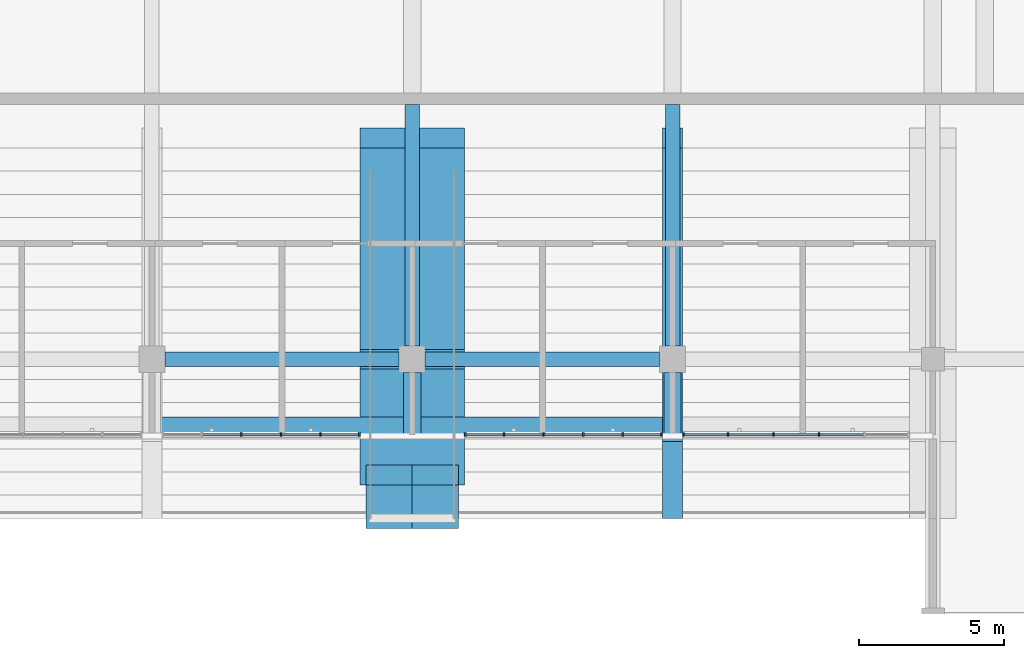
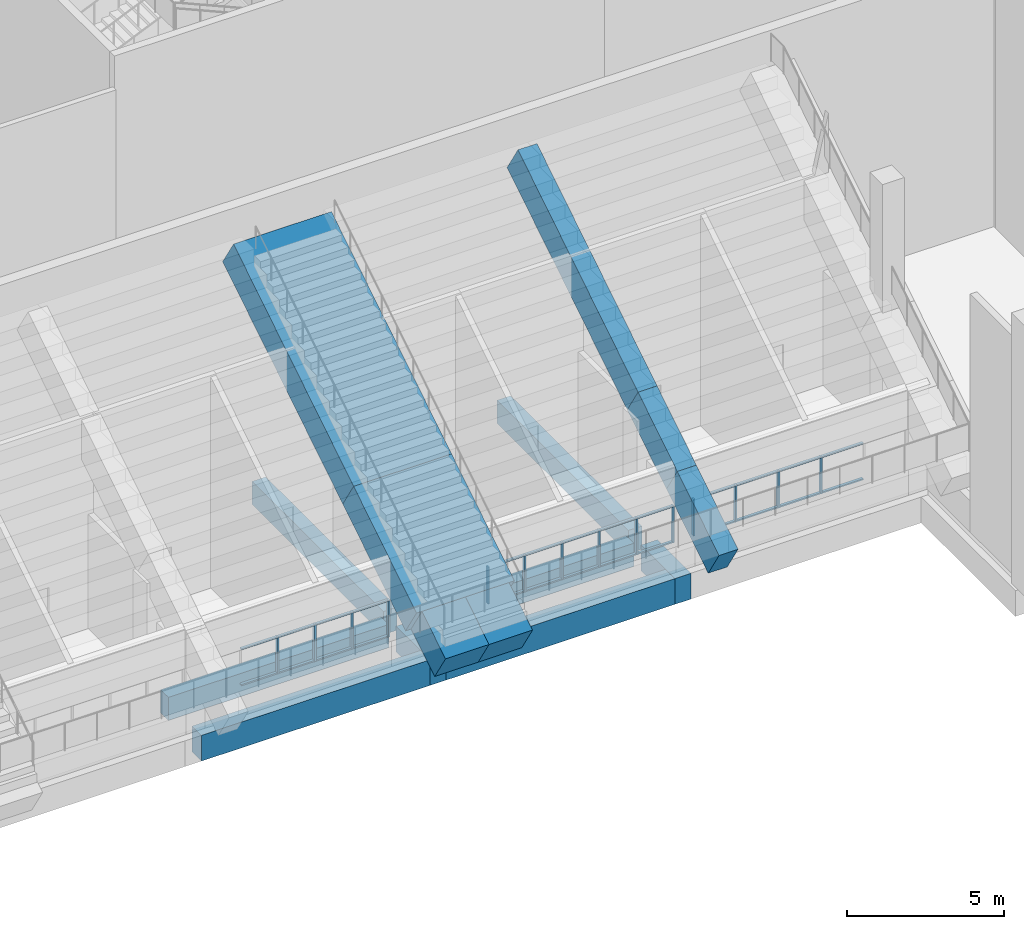
# One storey, part 50 of 182: 40 members, 15 beams, 3 elements without a shape of their own.
"""IFC4 building model written with IfcOpenShell, lengths in metres."""

import ifcopenshell
import ifcopenshell.guid

model = None  # the IFC model being written
_history = None  # IfcOwnerHistory: only IFC2X3 demands one
_inside = {}  # id of a spatial element -> (the spatial element, [elements in it])
_under = {}  # id of a project, library or spatial element -> (it, [spatial elements below it])
_declared = {}  # id of a project -> (the project, [libraries it declares])
_typed = {}  # id of a type object -> (the type object, [elements of that type])
_made_of = {}  # id of a material, layer set ... -> (it, [elements and type objects made of it])


def new_model(schema):
    """Start an empty IFC model of exactly this schema.

    Asked for "IFC4X3", IfcOpenShell would pick the latest addendum, in which some entities
    have other attributes; the version numbers below select the first issue.
    IFC2X3 requires an IfcOwnerHistory on every rooted entity: one is made here for all.
    """
    global model, _history
    if schema == "IFC4X3":
        model = ifcopenshell.file(schema_version=(4, 3, 0, 0))
    else:
        model = ifcopenshell.file(schema=schema)
    _inside.clear()
    _under.clear()
    _declared.clear()
    _typed.clear()
    _made_of.clear()
    _history = None
    if model.schema == "IFC2X3":
        org = make("IfcOrganization", Name="unknown")
        user = make(
            "IfcPersonAndOrganization",
            ThePerson=make("IfcPerson", FamilyName="unknown"),
            TheOrganization=org,
        )
        app = make(
            "IfcApplication",
            ApplicationDeveloper=org,
            Version="unknown",
            ApplicationFullName="unknown",
            ApplicationIdentifier="unknown",
        )
        _history = make(
            "IfcOwnerHistory",
            OwningUser=user,
            OwningApplication=app,
            ChangeAction="ADDED",
            CreationDate=0,
        )
    return model


def make(cls, **values):
    """One entity of the class cls with the attributes given. An attribute that is None is left unset."""
    return model.create_entity(
        cls, **{name: value for name, value in values.items() if value is not None}
    )


def rooted(cls, **values):
    """An entity with a GlobalId (a new one), such as an element, a storey or a relation."""
    return make(cls, GlobalId=ifcopenshell.guid.new(), OwnerHistory=_history, **values)


def si_unit(unit_type, name, prefix=None):
    """IfcSIUnit, for example si_unit("LENGTHUNIT", "METRE", prefix="MILLI")."""
    return make("IfcSIUnit", UnitType=unit_type, Prefix=prefix, Name=name)


def assignment(units):
    """IfcUnitAssignment: the units of a project."""
    return None if units is None else make("IfcUnitAssignment", Units=units)


def point(xyz):
    """IfcCartesianPoint."""
    return None if xyz is None else make("IfcCartesianPoint", Coordinates=xyz)


def direction(xyz):
    """IfcDirection."""
    return None if xyz is None else make("IfcDirection", DirectionRatios=xyz)


def frame(location, z_axis=None, x_axis=None):
    """IfcAxis2Placement3D, a coordinate frame: its origin and axes. An axis left out is left unset."""
    return make(
        "IfcAxis2Placement3D",
        Location=point(location),
        Axis=direction(z_axis),
        RefDirection=direction(x_axis),
    )


def frame_2d(location, x_axis=None):
    """IfcAxis2Placement2D, a coordinate frame in the plane: its origin and x axis."""
    return make(
        "IfcAxis2Placement2D", Location=point(location), RefDirection=direction(x_axis)
    )


def origin():
    """The frame at (0, 0, 0) with its axes left unset."""
    return frame((0.0, 0.0, 0.0))


def origin_2d():
    """The frame at (0, 0) in the plane with its x axis left unset."""
    return frame_2d((0.0, 0.0))


def place(relative_to, where):
    """IfcLocalPlacement: puts the frame where relative to a parent placement (None: the world)."""
    return make(
        "IfcLocalPlacement", PlacementRelTo=relative_to, RelativePlacement=where
    )


def context(
    kind, dimensions, precision=None, world=None, true_north=None, identifier=None
):
    """IfcGeometricRepresentationContext, for example the 3D "Model" context."""
    return make(
        "IfcGeometricRepresentationContext",
        ContextIdentifier=identifier,
        ContextType=kind,
        CoordinateSpaceDimension=dimensions,
        Precision=precision,
        WorldCoordinateSystem=world,
        TrueNorth=true_north,
    )


def subcontext(parent, identifier, kind, view, scale=None):
    """IfcGeometricRepresentationSubContext, for example "Body" below "Model"."""
    return make(
        "IfcGeometricRepresentationSubContext",
        ContextIdentifier=identifier,
        ContextType=kind,
        ParentContext=parent,
        TargetScale=scale,
        TargetView=view,
    )


def project(units=None, contexts=None):
    """IfcProject with its units and contexts."""
    return rooted(
        "IfcProject",
        Name="project",
        RepresentationContexts=contexts,
        UnitsInContext=assignment(units),
    )


def spatial(cls, under=None, at=None, **own):
    """A site, building, storey or space (cls), placed at a placement, below another one or the project."""
    s = rooted(cls, ObjectPlacement=at, **own)
    if under is not None:
        _under.setdefault(under.id(), (under, []))[1].append(s)
    return s


def profile(cls, at=None, kind="AREA", **sizes):
    """A parametric profile (cls). Its sizes go by their IFC names, for example OverallWidth=200.0."""
    return make(cls, ProfileType=kind, Position=at, **sizes)


def rectangle(**sizes):
    """IfcRectangleProfileDef."""
    return profile("IfcRectangleProfileDef", **sizes)


def extrude(swept, where, along, depth):
    """IfcExtrudedAreaSolid: the profile swept, set in the frame where, extruded along a direction by depth."""
    return make(
        "IfcExtrudedAreaSolid",
        SweptArea=swept,
        Position=where,
        ExtrudedDirection=direction(along),
        Depth=depth,
    )


def shape(context_of_items, identifier, shape_type, items):
    """IfcShapeRepresentation: the items that make up one representation, for example the "Body"."""
    return make(
        "IfcShapeRepresentation",
        ContextOfItems=context_of_items,
        RepresentationIdentifier=identifier,
        RepresentationType=shape_type,
        Items=items,
    )


def material(Name=None, Category=None):
    """IfcMaterial."""
    return make("IfcMaterial", Name=Name, Category=Category)


def material_profile(
    of_material, cross_section, Name=None, Category=None, Priority=None
):
    """IfcMaterialProfile: a cross section and its material."""
    return make(
        "IfcMaterialProfile",
        Name=Name,
        Material=of_material,
        Profile=cross_section,
        Priority=Priority,
        Category=Category,
    )


def profile_set(profiles, Name=None, composite=None):
    """IfcMaterialProfileSet."""
    return make(
        "IfcMaterialProfileSet",
        Name=Name,
        MaterialProfiles=profiles,
        CompositeProfile=composite,
    )


def made_of(thing, what):
    """Note that an element or type object is made of a material, layer set ...; save() writes the relation."""
    if what is not None:
        _made_of.setdefault(what.id(), (what, []))[1].append(thing)
    return thing


def type_object(cls, material=None, **own):
    """A type object (cls), such as IfcWallType, which elements share."""
    return made_of(rooted(cls, **own), material)


def element(
    cls,
    number,
    at=None,
    inside=None,
    cuts=None,
    type_object=None,
    material=None,
    context=None,
    identifier="Body",
    shape_type=None,
    held_by="IfcProductDefinitionShape",
    body=None,
    shapes=None,
    **own,
):
    """One element of the class cls, such as IfcWall. Its Tag is "e" and its number.

    at: its placement. inside: the storey or other place that contains it. cuts: it is an
    opening in that element (IfcRelVoidsElement). A single representation is given by context,
    identifier, shape_type and body (its items); several are given by shapes. held_by: the class
    of the entity that holds the representations. save() writes the other relations.
    """
    e = rooted(cls, Tag="e%d" % number, ObjectPlacement=at, **own)
    if body is not None:
        shapes = [shape(context, identifier, shape_type, body)]
    if shapes is not None:
        e.Representation = make(held_by, Representations=shapes)
    if inside is not None:
        _inside.setdefault(inside.id(), (inside, []))[1].append(e)
    if cuts is not None:
        rooted(
            "IfcRelVoidsElement", RelatingBuildingElement=cuts, RelatedOpeningElement=e
        )
    if type_object is not None:
        _typed.setdefault(type_object.id(), (type_object, []))[1].append(e)
    return made_of(e, material)


def aggregate(whole, parts):
    """IfcRelAggregates: a whole, such as a stair, and the parts it consists of."""
    return rooted("IfcRelAggregates", RelatingObject=whole, RelatedObjects=parts)


def save(model, path):
    """Write the relations noted so far, then the file.

    IfcRelAggregates (storeys below a building ...), IfcRelContainedInSpatialStructure (elements
    in a storey), IfcRelDefinesByType, IfcRelAssociatesMaterial and IfcRelDeclares: one each for
    every whole, place, type object, material and project.
    """
    for whole, parts in _under.values():
        aggregate(whole, parts)
    for where, things in _inside.values():
        rooted(
            "IfcRelContainedInSpatialStructure",
            RelatedElements=things,
            RelatingStructure=where,
        )
    for kind, things in _typed.values():
        rooted("IfcRelDefinesByType", RelatedObjects=things, RelatingType=kind)
    for what, things in _made_of.values():
        rooted("IfcRelAssociatesMaterial", RelatedObjects=things, RelatingMaterial=what)
    for by, libraries in _declared.values():
        rooted("IfcRelDeclares", RelatingContext=by, RelatedDefinitions=libraries)
    model.write(path)


model = new_model("IFC4")

# Units and contexts
model_context = context("Model", 3, precision=1e-05, world=origin(), true_north=direction((0.0, 1.0)))
body_context = subcontext(model_context, "Body", "Model", "MODEL_VIEW")
ifc_project = project(units=[si_unit("LENGTHUNIT", "METRE"), si_unit("AREAUNIT", "SQUARE_METRE"), si_unit("VOLUMEUNIT", "CUBIC_METRE"), si_unit("PLANEANGLEUNIT", "RADIAN"), si_unit("MASSUNIT", "GRAM", prefix="KILO")], contexts=[model_context])

# Site, building, storey
site_placement = place(None, origin())
site = spatial("IfcSite", under=ifc_project, at=site_placement, CompositionType="ELEMENT")
building_placement = place(site_placement, origin())
building = spatial("IfcBuilding", under=site, at=building_placement, Name="Silverbay Arena", CompositionType="ELEMENT")
storey_placement = place(building_placement, frame((0.0, 0.0, 11.5)))
storey = spatial("IfcBuildingStorey", under=building, at=storey_placement, Name="L02", CompositionType="ELEMENT", Elevation=11.5)

# Curtain wall, members
ifc_material_1 = material(Name="Fire-resisting glass", Category="glass")
curtain_wall_type_1 = type_object("IfcCurtainWallType", Name="Fire-resisting glazed screen EI 120 6850 x 1437", PredefinedType="NOTDEFINED", material=ifc_material_1)
curtain_wall_1_placement = place(storey_placement, origin())
curtain_wall_1 = element("IfcCurtainWall", 1, at=curtain_wall_1_placement, inside=storey, type_object=curtain_wall_type_1, Name="North suite front 5", PredefinedType="NOTDEFINED")
ifc_material_2 = material(Name="Aluminium", Category="aluminium")
ifc_material_profile_1 = material_profile(ifc_material_2, rectangle(XDim=0.1201171875, YDim=0.06005859375, at=origin_2d()), Name="Mullion 60 x 120")
ifc_profile_set_1 = profile_set([ifc_material_profile_1], Name="Aluminium")
member_type_1 = type_object("IfcMemberType", Name="Mullion 60 x 120", PredefinedType="MULLION", material=ifc_profile_set_1)
member_1_placement = place(storey_placement, frame((138.090087890625, 114.39990234375, 1.10009765625), z_axis=(0.0, 0.0, 1.0), x_axis=(0.0, 1.0, 0.0)))
member_1 = element("IfcMember", 2, at=member_1_placement, type_object=member_type_1, Name="CW19 mullion 3", PredefinedType="MULLION", context=body_context, shape_type="SweptSolid", body=[
    extrude(rectangle(XDim=0.1201171875, YDim=0.06005859375, at=origin_2d()), origin(), (0.0, 0.0, 1.0), 1.43701171875),
])
member_2_placement = place(storey_placement, frame((139.4599609375, 114.39990234375, 1.10009765625), z_axis=(0.0, 0.0, 1.0), x_axis=(0.0, 1.0, 0.0)))
member_2 = element("IfcMember", 3, at=member_2_placement, type_object=member_type_1, Name="CW19 mullion 4", PredefinedType="MULLION", context=body_context, shape_type="SweptSolid", body=[
    extrude(rectangle(XDim=0.1201171875, YDim=0.06005859375, at=origin_2d()), origin(), (0.0, 0.0, 1.0), 1.43701171875),
])
member_3_placement = place(storey_placement, frame((140.830078125, 114.39990234375, 1.10009765625), z_axis=(0.0, 0.0, 1.0), x_axis=(0.0, 1.0, 0.0)))
member_3 = element("IfcMember", 4, at=member_3_placement, type_object=member_type_1, Name="CW19 mullion 5", PredefinedType="MULLION", context=body_context, shape_type="SweptSolid", body=[
    extrude(rectangle(XDim=0.1201171875, YDim=0.06005859375, at=origin_2d()), origin(), (0.0, 0.0, 1.0), 1.43701171875),
])
member_4_placement = place(storey_placement, frame((142.169921875, 114.39990234375, 1.10009765625), z_axis=(0.0, 0.0, 1.0), x_axis=(0.0, 1.0, 0.0)))
member_4 = element("IfcMember", 5, at=member_4_placement, type_object=member_type_1, Name="CW19 mullion 6", PredefinedType="MULLION", context=body_context, shape_type="SweptSolid", body=[
    extrude(rectangle(XDim=0.1201171875, YDim=0.06005859375, at=origin_2d()), origin(), (0.0, 0.0, 1.0), 1.43701171875),
])

curtain_wall_2_placement = place(storey_placement, origin())
curtain_wall_2 = element("IfcCurtainWall", 6, at=curtain_wall_2_placement, inside=storey, type_object=curtain_wall_type_1, Name="North suite front 6", PredefinedType="NOTDEFINED")
member_5_placement = place(storey_placement, frame((145.830078125, 114.39990234375, 1.10009765625), z_axis=(0.0, 0.0, 1.0), x_axis=(0.0, 1.0, 0.0)))
member_5 = element("IfcMember", 7, at=member_5_placement, type_object=member_type_1, Name="CW19 mullion 1", PredefinedType="MULLION", context=body_context, shape_type="SweptSolid", body=[
    extrude(rectangle(XDim=0.1201171875, YDim=0.06005859375, at=origin_2d()), origin(), (0.0, 0.0, 1.0), 1.43701171875),
])
member_6_placement = place(storey_placement, frame((147.169921875, 114.39990234375, 1.10009765625), z_axis=(0.0, 0.0, 1.0), x_axis=(0.0, 1.0, 0.0)))
member_6 = element("IfcMember", 8, at=member_6_placement, type_object=member_type_1, Name="CW19 mullion 2", PredefinedType="MULLION", context=body_context, shape_type="SweptSolid", body=[
    extrude(rectangle(XDim=0.1201171875, YDim=0.06005859375, at=origin_2d()), origin(), (0.0, 0.0, 1.0), 1.43701171875),
])
member_7_placement = place(storey_placement, frame((148.5400390625, 114.39990234375, 1.10009765625), z_axis=(0.0, 0.0, 1.0), x_axis=(0.0, 1.0, 0.0)))
member_7 = element("IfcMember", 9, at=member_7_placement, type_object=member_type_1, Name="CW19 mullion 3", PredefinedType="MULLION", context=body_context, shape_type="SweptSolid", body=[
    extrude(rectangle(XDim=0.1201171875, YDim=0.06005859375, at=origin_2d()), origin(), (0.0, 0.0, 1.0), 1.43701171875),
])
member_8_placement = place(storey_placement, frame((149.909912109375, 114.39990234375, 1.10009765625), z_axis=(0.0, 0.0, 1.0), x_axis=(0.0, 1.0, 0.0)))
member_8 = element("IfcMember", 10, at=member_8_placement, type_object=member_type_1, Name="CW19 mullion 4", PredefinedType="MULLION", context=body_context, shape_type="SweptSolid", body=[
    extrude(rectangle(XDim=0.1201171875, YDim=0.06005859375, at=origin_2d()), origin(), (0.0, 0.0, 1.0), 1.43701171875),
])
member_9_placement = place(storey_placement, frame((151.280029296875, 114.39990234375, 1.10009765625), z_axis=(0.0, 0.0, 1.0), x_axis=(0.0, 1.0, 0.0)))
member_9 = element("IfcMember", 11, at=member_9_placement, type_object=member_type_1, Name="CW19 mullion 5", PredefinedType="MULLION", context=body_context, shape_type="SweptSolid", body=[
    extrude(rectangle(XDim=0.1201171875, YDim=0.06005859375, at=origin_2d()), origin(), (0.0, 0.0, 1.0), 1.43701171875),
])
member_10_placement = place(storey_placement, frame((152.6201171875, 114.39990234375, 1.10009765625), z_axis=(0.0, 0.0, 1.0), x_axis=(0.0, 1.0, 0.0)))
member_10 = element("IfcMember", 12, at=member_10_placement, type_object=member_type_1, Name="CW19 mullion 6", PredefinedType="MULLION", context=body_context, shape_type="SweptSolid", body=[
    extrude(rectangle(XDim=0.1201171875, YDim=0.06005859375, at=origin_2d()), origin(), (0.0, 0.0, 1.0), 1.43701171875),
])

ifc_material_3 = material(Name="Fire-resisting glass", Category="glass")
curtain_wall_type_2 = type_object("IfcCurtainWallType", Name="Fire-resisting glazed screen EI 120 7850 x 1437", PredefinedType="NOTDEFINED", material=ifc_material_3)
curtain_wall_3_placement = place(storey_placement, origin())
curtain_wall_3 = element("IfcCurtainWall", 13, at=curtain_wall_3_placement, inside=storey, type_object=curtain_wall_type_2, Name="North suite front 7", PredefinedType="NOTDEFINED")
member_11_placement = place(storey_placement, frame((153.3798828125, 114.39990234375, 1.10009765625), z_axis=(0.0, 0.0, 1.0), x_axis=(0.0, 1.0, 0.0)))
member_11 = element("IfcMember", 14, at=member_11_placement, type_object=member_type_1, Name="CW17 mullion 1", PredefinedType="MULLION", context=body_context, shape_type="SweptSolid", body=[
    extrude(rectangle(XDim=0.1201171875, YDim=0.06005859375, at=origin_2d()), origin(), (0.0, 0.0, 1.0), 1.43701171875),
])
member_12_placement = place(storey_placement, frame((154.919921875, 114.39990234375, 1.10009765625), z_axis=(0.0, 0.0, 1.0), x_axis=(0.0, 1.0, 0.0)))
member_12 = element("IfcMember", 15, at=member_12_placement, type_object=member_type_1, Name="CW17 mullion 2", PredefinedType="MULLION", context=body_context, shape_type="SweptSolid", body=[
    extrude(rectangle(XDim=0.1201171875, YDim=0.06005859375, at=origin_2d()), origin(), (0.0, 0.0, 1.0), 1.43701171875),
])
member_13_placement = place(storey_placement, frame((156.489990234375, 114.39990234375, 1.10009765625), z_axis=(0.0, 0.0, 1.0), x_axis=(0.0, 1.0, 0.0)))
member_13 = element("IfcMember", 16, at=member_13_placement, type_object=member_type_1, Name="CW17 mullion 3", PredefinedType="MULLION", context=body_context, shape_type="SweptSolid", body=[
    extrude(rectangle(XDim=0.1201171875, YDim=0.06005859375, at=origin_2d()), origin(), (0.0, 0.0, 1.0), 1.43701171875),
])
member_14_placement = place(storey_placement, frame((158.06005859375, 114.39990234375, 1.10009765625), z_axis=(0.0, 0.0, 1.0), x_axis=(0.0, 1.0, 0.0)))
member_14 = element("IfcMember", 17, at=member_14_placement, type_object=member_type_1, Name="CW17 mullion 4", PredefinedType="MULLION", context=body_context, shape_type="SweptSolid", body=[
    extrude(rectangle(XDim=0.1201171875, YDim=0.06005859375, at=origin_2d()), origin(), (0.0, 0.0, 1.0), 1.43701171875),
])

# Beams
ifc_material_4 = material(Name="Concrete Grade C45", Category="concrete")
ifc_material_profile_2 = material_profile(ifc_material_4, rectangle(XDim=0.5, YDim=0.89990234375, at=origin_2d()), Name="RC 500x900")
ifc_profile_set_2 = profile_set([ifc_material_profile_2], Name="Concrete Grade C45")
beam_type_1 = type_object("IfcBeamType", Name="RC beam 500x900", PredefinedType="BEAM", material=ifc_profile_set_2)
for number, where, z_axis, x_axis, name in (
    (18, (135.449951171875, 117.0, -0.800048828125), (1.0, 0.0, 0.0), (0.0, 1.0, 0.0), "Floor beam L02 146"),
    (19, (144.449951171875, 117.0, -0.800048828125), (1.0, 0.0, 0.0), (0.0, 1.0, 0.0), "Floor beam L02 147"),
):
    element("IfcBeam", number, at=place(storey_placement, frame(where, z_axis=z_axis, x_axis=x_axis)), inside=storey, type_object=beam_type_1, Name=name, PredefinedType="BEAM", context=body_context, shape_type="SweptSolid", body=[
        extrude(rectangle(XDim=0.5, YDim=0.89990234375, at=origin_2d()), origin(), (0.0, 0.0, 1.0), 8.10009765625),
    ])
for number, where, z_axis, x_axis, name in (
    (20, (144.0, 117.449951171875, -0.800048828125), (0.0, 1.0, 0.0), (-1.0, 0.0, 0.0), "Floor beam L02 285"),
    (21, (153.0, 117.449951171875, -0.800048828125), (0.0, 1.0, 0.0), (-1.0, 0.0, 0.0), "Floor beam L02 291"),
):
    element("IfcBeam", number, at=place(storey_placement, frame(where, z_axis=z_axis, x_axis=x_axis)), inside=storey, type_object=beam_type_1, Name=name, PredefinedType="BEAM", context=body_context, shape_type="SweptSolid", body=[
        extrude(rectangle(XDim=0.5, YDim=0.89990234375, at=origin_2d()), origin(), (0.0, 0.0, 1.0), 8.35009765625),
    ])
ifc_material_5 = material(Name="Concrete Grade C45", Category="concrete")
ifc_material_profile_3 = material_profile(ifc_material_5, rectangle(XDim=0.60009765625, YDim=1.0, at=origin_2d()), Name="RC 600x1000")
ifc_profile_set_3 = profile_set([ifc_material_profile_3], Name="Concrete Grade C45")
beam_type_2 = type_object("IfcBeamType", Name="RC beam 600x1000", PredefinedType="BEAM", material=ifc_profile_set_3)
for number, where, z_axis, x_axis, name in (
    (22, (144.0, 114.39990234375, -0.85009765625), (0.0, 1.0, 0.0), (-1.0, 0.0, 0.0), "Floor beam L02 284"),
    (23, (153.0, 114.39990234375, -0.85009765625), (0.0, 1.0, 0.0), (-1.0, 0.0, 0.0), "Floor beam L02 290"),
):
    element("IfcBeam", number, at=place(storey_placement, frame(where, z_axis=z_axis, x_axis=x_axis)), inside=storey, type_object=beam_type_2, Name=name, PredefinedType="BEAM", context=body_context, shape_type="SweptSolid", body=[
        extrude(rectangle(XDim=0.60009765625, YDim=1.0, at=origin_2d()), origin(), (0.0, 0.0, 1.0), 2.150146484375),
    ])
for number, where, z_axis, x_axis, name in (
    (24, (135.300048828125, 114.699951171875, -0.85009765625), (1.0, 0.0, 0.0), (0.0, 1.0, 0.0), "Floor beam L02 376"),
    (25, (144.300048828125, 114.699951171875, -0.85009765625), (1.0, 0.0, 0.0), (0.0, 1.0, 0.0), "Floor beam L02 377"),
):
    element("IfcBeam", number, at=place(storey_placement, frame(where, z_axis=z_axis, x_axis=x_axis)), inside=storey, type_object=beam_type_2, Name=name, PredefinedType="BEAM", context=body_context, shape_type="SweptSolid", body=[
        extrude(rectangle(XDim=0.60009765625, YDim=1.0, at=origin_2d()), origin(), (0.0, 0.0, 1.0), 8.39990234375),
    ])
ifc_material_6 = material(Name="Concrete Grade C45", Category="concrete")
ifc_material_profile_4 = material_profile(ifc_material_6, rectangle(XDim=1.60009765625, YDim=1.300048828125, at=origin_2d()), Name="RC 1600x1300")
ifc_profile_set_4 = profile_set([ifc_material_profile_4], Name="Concrete Grade C45")
beam_type_3 = type_object("IfcBeamType", Name="RC cantilever raker 1600x1300", PredefinedType="BEAM", material=ifc_profile_set_4)
for number, where, z_axis, x_axis, name in (
    (26, (143.199951171875, 111.5, 1.553466796875), (0.0, 0.847998304005, 0.529998940003), (-1.0, 0.0, 0.0), "Raker North upper 144 nose L"),
    (27, (144.800048828125, 111.5, 1.553466796875), (0.0, 0.847998304005, 0.529998940003), (-1.0, 0.0, 0.0), "Raker North upper 144 nose R"),
):
    element("IfcBeam", number, at=place(storey_placement, frame(where, z_axis=z_axis, x_axis=x_axis)), inside=storey, type_object=beam_type_3, Name=name, PredefinedType="BEAM", context=body_context, shape_type="SweptSolid", body=[
        extrude(rectangle(XDim=1.60009765625, YDim=1.300048828125, at=origin_2d()), origin(), (0.0, 0.0, 1.0), 1.768798828125),
    ])
ifc_material_7 = material(Name="Concrete Grade C45", Category="concrete")
ifc_material_profile_5 = material_profile(ifc_material_7, rectangle(XDim=3.60009765625, YDim=1.300048828125, at=origin_2d()), Name="RC 3600x1300")
ifc_profile_set_5 = profile_set([ifc_material_profile_5], Name="Concrete Grade C45")
beam_type_4 = type_object("IfcBeamType", Name="RC cantilever raker 3600x1300", PredefinedType="BEAM", material=ifc_profile_set_5)
beam_1_placement = place(storey_placement, frame((144.0, 113.0, 2.490966796875), z_axis=(0.0, 0.847998304005, 0.529998940003), x_axis=(-1.0, 0.0, 0.0)))
element("IfcBeam", 28, at=beam_1_placement, inside=storey, type_object=beam_type_4, Name="Raker North upper 144 tip", PredefinedType="BEAM", context=body_context, shape_type="SweptSolid", body=[
    extrude(rectangle(XDim=3.60009765625, YDim=1.300048828125, at=origin_2d()), origin(), (0.0, 0.0, 1.0), 4.717041015625),
])
ifc_material_8 = material(Name="Concrete Grade C45", Category="concrete")
ifc_material_profile_6 = material_profile(ifc_material_8, rectangle(XDim=0.699951171875, YDim=1.300048828125, at=origin_2d()), Name="RC 700x1300")
ifc_profile_set_6 = profile_set([ifc_material_profile_6], Name="Concrete Grade C45")
beam_type_5 = type_object("IfcBeamType", Name="RC cantilever raker 700x1300", PredefinedType="BEAM", material=ifc_profile_set_6)
beam_2_placement = place(storey_placement, frame((153.0, 111.844482421875, 1.768798828125), z_axis=(0.0, 0.848002683915, 0.529991932082), x_axis=(-1.0, 0.0, 0.0)))
element("IfcBeam", 29, at=beam_2_placement, inside=storey, type_object=beam_type_5, Name="Raker North upper 153 tip", PredefinedType="BEAM", context=body_context, shape_type="SweptSolid", body=[
    extrude(rectangle(XDim=0.699951171875, YDim=1.300048828125, at=origin_2d()), origin(), (0.0, 0.0, 1.0), 3.131591796875),
])
beam_3_placement = place(storey_placement, frame((153.0, 114.5, 3.428466796875), z_axis=(0.0, 0.847998304005, 0.529998940003), x_axis=(-1.0, 0.0, 0.0)))
element("IfcBeam", 30, at=beam_3_placement, inside=storey, type_object=beam_type_5, Name="Raker North upper 153 mid", PredefinedType="BEAM", context=body_context, shape_type="SweptSolid", body=[
    extrude(rectangle(XDim=0.699951171875, YDim=1.300048828125, at=origin_2d()), origin(), (0.0, 0.0, 1.0), 2.947998046875),
])
ifc_material_9 = material(Name="Concrete Grade C45", Category="concrete")
ifc_material_profile_7 = material_profile(ifc_material_9, rectangle(XDim=3.60009765625, YDim=1.300048828125, at=origin_2d()), Name="RC 3600x1300")
ifc_profile_set_7 = profile_set([ifc_material_profile_7], Name="Concrete Grade C45")
beam_type_6 = type_object("IfcBeamType", Name="RC tier raker 3600x1300", PredefinedType="BEAM", material=ifc_profile_set_7)
beam_4_placement = place(storey_placement, frame((144.0, 117.0, 4.990966796875), z_axis=(0.0, 0.847998304005, 0.529998940003), x_axis=(-1.0, 0.0, 0.0)))
element("IfcBeam", 31, at=beam_4_placement, inside=storey, type_object=beam_type_6, Name="Raker North upper 144 back", PredefinedType="BEAM", context=body_context, shape_type="SweptSolid", body=[
    extrude(rectangle(XDim=3.60009765625, YDim=1.300048828125, at=origin_2d()), origin(), (0.0, 0.0, 1.0), 9.014892578125),
])
ifc_material_10 = material(Name="Concrete Grade C45", Category="concrete")
ifc_material_profile_8 = material_profile(ifc_material_10, rectangle(XDim=0.699951171875, YDim=1.300048828125, at=origin_2d()), Name="RC 700x1300")
ifc_profile_set_8 = profile_set([ifc_material_profile_8], Name="Concrete Grade C45")
beam_type_7 = type_object("IfcBeamType", Name="RC tier raker 700x1300", PredefinedType="BEAM", material=ifc_profile_set_8)
beam_5_placement = place(storey_placement, frame((153.0, 117.0, 4.990966796875), z_axis=(0.0, 0.847998304005, 0.529998940003), x_axis=(-1.0, 0.0, 0.0)))
element("IfcBeam", 32, at=beam_5_placement, inside=storey, type_object=beam_type_7, Name="Raker North upper 153 back", PredefinedType="BEAM", context=body_context, shape_type="SweptSolid", body=[
    extrude(rectangle(XDim=0.699951171875, YDim=1.300048828125, at=origin_2d()), origin(), (0.0, 0.0, 1.0), 9.014892578125),
])

# Member
ifc_material_11 = material(Name="Aluminium", Category="aluminium")
ifc_material_profile_9 = material_profile(ifc_material_11, rectangle(XDim=0.10009765625, YDim=0.050048828125, at=origin_2d()), Name="Transom 50 x 100")
ifc_profile_set_9 = profile_set([ifc_material_profile_9], Name="Aluminium")
member_type_2 = type_object("IfcMemberType", Name="Transom 50 x 100", PredefinedType="USERDEFINED", material=ifc_profile_set_9)
member_15_placement = place(storey_placement, frame((136.75, 114.39990234375, 1.125), z_axis=(1.0, 0.0, 0.0), x_axis=(0.0, 1.0, 0.0)))
member_15 = element("IfcMember", 33, at=member_15_placement, type_object=member_type_2, Name="CW19 transom 2.1", ObjectType="TRANSOM", PredefinedType="USERDEFINED", context=body_context, shape_type="SweptSolid", body=[
    extrude(rectangle(XDim=0.10009765625, YDim=0.050048828125, at=origin_2d()), origin(), (0.0, 0.0, 1.0), 1.31005859375),
])

member_16_placement = place(storey_placement, frame((136.75, 114.39990234375, 2.511962890625), z_axis=(1.0, 0.0, 0.0), x_axis=(0.0, 1.0, 0.0)))
member_16 = element("IfcMember", 34, at=member_16_placement, type_object=member_type_2, Name="CW19 transom 2.2", ObjectType="TRANSOM", PredefinedType="USERDEFINED", context=body_context, shape_type="SweptSolid", body=[
    extrude(rectangle(XDim=0.10009765625, YDim=0.050048828125, at=origin_2d()), origin(), (0.0, 0.0, 1.0), 1.31005859375),
])

member_17_placement = place(storey_placement, frame((138.1201171875, 114.39990234375, 1.125), z_axis=(1.0, 0.0, 0.0), x_axis=(0.0, 1.0, 0.0)))
member_17 = element("IfcMember", 35, at=member_17_placement, type_object=member_type_2, Name="CW19 transom 3.1", ObjectType="TRANSOM", PredefinedType="USERDEFINED", context=body_context, shape_type="SweptSolid", body=[
    extrude(rectangle(XDim=0.10009765625, YDim=0.050048828125, at=origin_2d()), origin(), (0.0, 0.0, 1.0), 1.309814453125),
])

member_18_placement = place(storey_placement, frame((138.1201171875, 114.39990234375, 2.511962890625), z_axis=(1.0, 0.0, 0.0), x_axis=(0.0, 1.0, 0.0)))
member_18 = element("IfcMember", 36, at=member_18_placement, type_object=member_type_2, Name="CW19 transom 3.2", ObjectType="TRANSOM", PredefinedType="USERDEFINED", context=body_context, shape_type="SweptSolid", body=[
    extrude(rectangle(XDim=0.10009765625, YDim=0.050048828125, at=origin_2d()), origin(), (0.0, 0.0, 1.0), 1.309814453125),
])

member_19_placement = place(storey_placement, frame((139.489990234375, 114.39990234375, 1.125), z_axis=(1.0, 0.0, 0.0), x_axis=(0.0, 1.0, 0.0)))
member_19 = element("IfcMember", 37, at=member_19_placement, type_object=member_type_2, Name="CW19 transom 4.1", ObjectType="TRANSOM", PredefinedType="USERDEFINED", context=body_context, shape_type="SweptSolid", body=[
    extrude(rectangle(XDim=0.10009765625, YDim=0.050048828125, at=origin_2d()), origin(), (0.0, 0.0, 1.0), 1.31005859375),
])

member_20_placement = place(storey_placement, frame((139.489990234375, 114.39990234375, 2.511962890625), z_axis=(1.0, 0.0, 0.0), x_axis=(0.0, 1.0, 0.0)))
member_20 = element("IfcMember", 38, at=member_20_placement, type_object=member_type_2, Name="CW19 transom 4.2", ObjectType="TRANSOM", PredefinedType="USERDEFINED", context=body_context, shape_type="SweptSolid", body=[
    extrude(rectangle(XDim=0.10009765625, YDim=0.050048828125, at=origin_2d()), origin(), (0.0, 0.0, 1.0), 1.31005859375),
])

member_21_placement = place(storey_placement, frame((140.860107421875, 114.39990234375, 1.125), z_axis=(1.0, 0.0, 0.0), x_axis=(0.0, 1.0, 0.0)))
member_21 = element("IfcMember", 39, at=member_21_placement, type_object=member_type_2, Name="CW19 transom 5.1", ObjectType="TRANSOM", PredefinedType="USERDEFINED", context=body_context, shape_type="SweptSolid", body=[
    extrude(rectangle(XDim=0.10009765625, YDim=0.050048828125, at=origin_2d()), origin(), (0.0, 0.0, 1.0), 1.27978515625),
])

member_22_placement = place(storey_placement, frame((140.860107421875, 114.39990234375, 2.511962890625), z_axis=(1.0, 0.0, 0.0), x_axis=(0.0, 1.0, 0.0)))
member_22 = element("IfcMember", 40, at=member_22_placement, type_object=member_type_2, Name="CW19 transom 5.2", ObjectType="TRANSOM", PredefinedType="USERDEFINED", context=body_context, shape_type="SweptSolid", body=[
    extrude(rectangle(XDim=0.10009765625, YDim=0.050048828125, at=origin_2d()), origin(), (0.0, 0.0, 1.0), 1.27978515625),
])

aggregate(curtain_wall_1, [member_1, member_2, member_3, member_4, member_15, member_16, member_17, member_18, member_19, member_20, member_21, member_22])

member_23_placement = place(storey_placement, frame((145.860107421875, 114.39990234375, 1.125), z_axis=(1.0, 0.0, 0.0), x_axis=(0.0, 1.0, 0.0)))
member_23 = element("IfcMember", 41, at=member_23_placement, type_object=member_type_2, Name="CW19 transom 1.1", ObjectType="TRANSOM", PredefinedType="USERDEFINED", context=body_context, shape_type="SweptSolid", body=[
    extrude(rectangle(XDim=0.10009765625, YDim=0.050048828125, at=origin_2d()), origin(), (0.0, 0.0, 1.0), 1.27978515625),
])

member_24_placement = place(storey_placement, frame((145.860107421875, 114.39990234375, 2.511962890625), z_axis=(1.0, 0.0, 0.0), x_axis=(0.0, 1.0, 0.0)))
member_24 = element("IfcMember", 42, at=member_24_placement, type_object=member_type_2, Name="CW19 transom 1.2", ObjectType="TRANSOM", PredefinedType="USERDEFINED", context=body_context, shape_type="SweptSolid", body=[
    extrude(rectangle(XDim=0.10009765625, YDim=0.050048828125, at=origin_2d()), origin(), (0.0, 0.0, 1.0), 1.27978515625),
])

member_25_placement = place(storey_placement, frame((147.199951171875, 114.39990234375, 1.125), z_axis=(1.0, 0.0, 0.0), x_axis=(0.0, 1.0, 0.0)))
member_25 = element("IfcMember", 43, at=member_25_placement, type_object=member_type_2, Name="CW19 transom 2.1", ObjectType="TRANSOM", PredefinedType="USERDEFINED", context=body_context, shape_type="SweptSolid", body=[
    extrude(rectangle(XDim=0.10009765625, YDim=0.050048828125, at=origin_2d()), origin(), (0.0, 0.0, 1.0), 1.31005859375),
])

member_26_placement = place(storey_placement, frame((147.199951171875, 114.39990234375, 2.511962890625), z_axis=(1.0, 0.0, 0.0), x_axis=(0.0, 1.0, 0.0)))
member_26 = element("IfcMember", 44, at=member_26_placement, type_object=member_type_2, Name="CW19 transom 2.2", ObjectType="TRANSOM", PredefinedType="USERDEFINED", context=body_context, shape_type="SweptSolid", body=[
    extrude(rectangle(XDim=0.10009765625, YDim=0.050048828125, at=origin_2d()), origin(), (0.0, 0.0, 1.0), 1.31005859375),
])

member_27_placement = place(storey_placement, frame((148.570068359375, 114.39990234375, 1.125), z_axis=(1.0, 0.0, 0.0), x_axis=(0.0, 1.0, 0.0)))
member_27 = element("IfcMember", 45, at=member_27_placement, type_object=member_type_2, Name="CW19 transom 3.1", ObjectType="TRANSOM", PredefinedType="USERDEFINED", context=body_context, shape_type="SweptSolid", body=[
    extrude(rectangle(XDim=0.10009765625, YDim=0.050048828125, at=origin_2d()), origin(), (0.0, 0.0, 1.0), 1.309814453125),
])

member_28_placement = place(storey_placement, frame((148.570068359375, 114.39990234375, 2.511962890625), z_axis=(1.0, 0.0, 0.0), x_axis=(0.0, 1.0, 0.0)))
member_28 = element("IfcMember", 46, at=member_28_placement, type_object=member_type_2, Name="CW19 transom 3.2", ObjectType="TRANSOM", PredefinedType="USERDEFINED", context=body_context, shape_type="SweptSolid", body=[
    extrude(rectangle(XDim=0.10009765625, YDim=0.050048828125, at=origin_2d()), origin(), (0.0, 0.0, 1.0), 1.309814453125),
])

member_29_placement = place(storey_placement, frame((149.93994140625, 114.39990234375, 1.125), z_axis=(1.0, 0.0, 0.0), x_axis=(0.0, 1.0, 0.0)))
member_29 = element("IfcMember", 47, at=member_29_placement, type_object=member_type_2, Name="CW19 transom 4.1", ObjectType="TRANSOM", PredefinedType="USERDEFINED", context=body_context, shape_type="SweptSolid", body=[
    extrude(rectangle(XDim=0.10009765625, YDim=0.050048828125, at=origin_2d()), origin(), (0.0, 0.0, 1.0), 1.31005859375),
])

member_30_placement = place(storey_placement, frame((149.93994140625, 114.39990234375, 2.511962890625), z_axis=(1.0, 0.0, 0.0), x_axis=(0.0, 1.0, 0.0)))
member_30 = element("IfcMember", 48, at=member_30_placement, type_object=member_type_2, Name="CW19 transom 4.2", ObjectType="TRANSOM", PredefinedType="USERDEFINED", context=body_context, shape_type="SweptSolid", body=[
    extrude(rectangle(XDim=0.10009765625, YDim=0.050048828125, at=origin_2d()), origin(), (0.0, 0.0, 1.0), 1.31005859375),
])

member_31_placement = place(storey_placement, frame((151.31005859375, 114.39990234375, 1.125), z_axis=(1.0, 0.0, 0.0), x_axis=(0.0, 1.0, 0.0)))
member_31 = element("IfcMember", 49, at=member_31_placement, type_object=member_type_2, Name="CW19 transom 5.1", ObjectType="TRANSOM", PredefinedType="USERDEFINED", context=body_context, shape_type="SweptSolid", body=[
    extrude(rectangle(XDim=0.10009765625, YDim=0.050048828125, at=origin_2d()), origin(), (0.0, 0.0, 1.0), 1.280029296875),
])

member_32_placement = place(storey_placement, frame((151.31005859375, 114.39990234375, 2.511962890625), z_axis=(1.0, 0.0, 0.0), x_axis=(0.0, 1.0, 0.0)))
member_32 = element("IfcMember", 50, at=member_32_placement, type_object=member_type_2, Name="CW19 transom 5.2", ObjectType="TRANSOM", PredefinedType="USERDEFINED", context=body_context, shape_type="SweptSolid", body=[
    extrude(rectangle(XDim=0.10009765625, YDim=0.050048828125, at=origin_2d()), origin(), (0.0, 0.0, 1.0), 1.280029296875),
])

aggregate(curtain_wall_2, [member_5, member_6, member_7, member_8, member_9, member_10, member_23, member_24, member_25, member_26, member_27, member_28, member_29, member_30, member_31, member_32])

member_33_placement = place(storey_placement, frame((153.409912109375, 114.39990234375, 1.125), z_axis=(1.0, 0.0, 0.0), x_axis=(0.0, 1.0, 0.0)))
member_33 = element("IfcMember", 51, at=member_33_placement, type_object=member_type_2, Name="CW17 transom 1.1", ObjectType="TRANSOM", PredefinedType="USERDEFINED", context=body_context, shape_type="SweptSolid", body=[
    extrude(rectangle(XDim=0.10009765625, YDim=0.050048828125, at=origin_2d()), origin(), (0.0, 0.0, 1.0), 1.47998046875),
])

member_34_placement = place(storey_placement, frame((153.409912109375, 114.39990234375, 2.511962890625), z_axis=(1.0, 0.0, 0.0), x_axis=(0.0, 1.0, 0.0)))
member_34 = element("IfcMember", 52, at=member_34_placement, type_object=member_type_2, Name="CW17 transom 1.2", ObjectType="TRANSOM", PredefinedType="USERDEFINED", context=body_context, shape_type="SweptSolid", body=[
    extrude(rectangle(XDim=0.10009765625, YDim=0.050048828125, at=origin_2d()), origin(), (0.0, 0.0, 1.0), 1.47998046875),
])

member_35_placement = place(storey_placement, frame((154.949951171875, 114.39990234375, 1.125), z_axis=(1.0, 0.0, 0.0), x_axis=(0.0, 1.0, 0.0)))
member_35 = element("IfcMember", 53, at=member_35_placement, type_object=member_type_2, Name="CW17 transom 2.1", ObjectType="TRANSOM", PredefinedType="USERDEFINED", context=body_context, shape_type="SweptSolid", body=[
    extrude(rectangle(XDim=0.10009765625, YDim=0.050048828125, at=origin_2d()), origin(), (0.0, 0.0, 1.0), 1.510009765625),
])

member_36_placement = place(storey_placement, frame((154.949951171875, 114.39990234375, 2.511962890625), z_axis=(1.0, 0.0, 0.0), x_axis=(0.0, 1.0, 0.0)))
member_36 = element("IfcMember", 54, at=member_36_placement, type_object=member_type_2, Name="CW17 transom 2.2", ObjectType="TRANSOM", PredefinedType="USERDEFINED", context=body_context, shape_type="SweptSolid", body=[
    extrude(rectangle(XDim=0.10009765625, YDim=0.050048828125, at=origin_2d()), origin(), (0.0, 0.0, 1.0), 1.510009765625),
])

member_37_placement = place(storey_placement, frame((156.52001953125, 114.39990234375, 1.125), z_axis=(1.0, 0.0, 0.0), x_axis=(0.0, 1.0, 0.0)))
member_37 = element("IfcMember", 55, at=member_37_placement, type_object=member_type_2, Name="CW17 transom 3.1", ObjectType="TRANSOM", PredefinedType="USERDEFINED", context=body_context, shape_type="SweptSolid", body=[
    extrude(rectangle(XDim=0.10009765625, YDim=0.050048828125, at=origin_2d()), origin(), (0.0, 0.0, 1.0), 1.510009765625),
])

member_38_placement = place(storey_placement, frame((156.52001953125, 114.39990234375, 2.511962890625), z_axis=(1.0, 0.0, 0.0), x_axis=(0.0, 1.0, 0.0)))
member_38 = element("IfcMember", 56, at=member_38_placement, type_object=member_type_2, Name="CW17 transom 3.2", ObjectType="TRANSOM", PredefinedType="USERDEFINED", context=body_context, shape_type="SweptSolid", body=[
    extrude(rectangle(XDim=0.10009765625, YDim=0.050048828125, at=origin_2d()), origin(), (0.0, 0.0, 1.0), 1.510009765625),
])

member_39_placement = place(storey_placement, frame((158.090087890625, 114.39990234375, 1.125), z_axis=(1.0, 0.0, 0.0), x_axis=(0.0, 1.0, 0.0)))
member_39 = element("IfcMember", 57, at=member_39_placement, type_object=member_type_2, Name="CW17 transom 4.1", ObjectType="TRANSOM", PredefinedType="USERDEFINED", context=body_context, shape_type="SweptSolid", body=[
    extrude(rectangle(XDim=0.10009765625, YDim=0.050048828125, at=origin_2d()), origin(), (0.0, 0.0, 1.0), 1.510009765625),
])

member_40_placement = place(storey_placement, frame((158.090087890625, 114.39990234375, 2.511962890625), z_axis=(1.0, 0.0, 0.0), x_axis=(0.0, 1.0, 0.0)))
member_40 = element("IfcMember", 58, at=member_40_placement, type_object=member_type_2, Name="CW17 transom 4.2", ObjectType="TRANSOM", PredefinedType="USERDEFINED", context=body_context, shape_type="SweptSolid", body=[
    extrude(rectangle(XDim=0.10009765625, YDim=0.050048828125, at=origin_2d()), origin(), (0.0, 0.0, 1.0), 1.510009765625),
])

aggregate(curtain_wall_3, [member_11, member_12, member_13, member_14, member_33, member_34, member_35, member_36, member_37, member_38, member_39, member_40])

save(model, "model.ifc")
